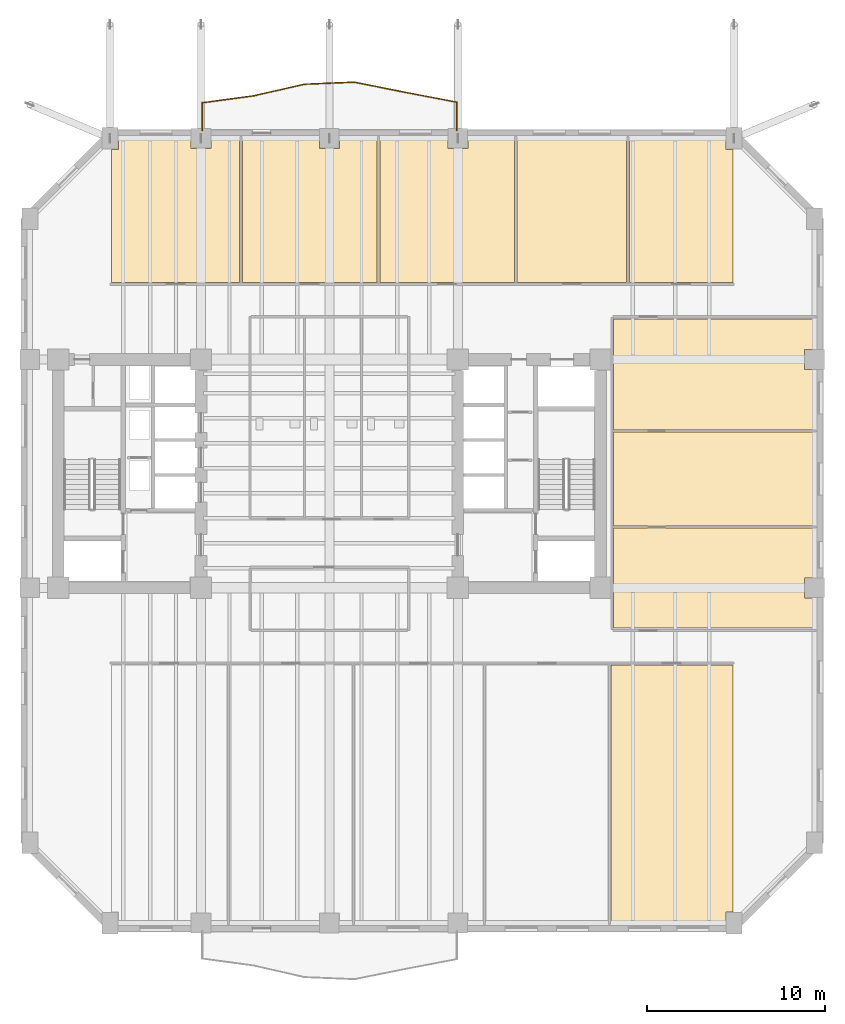
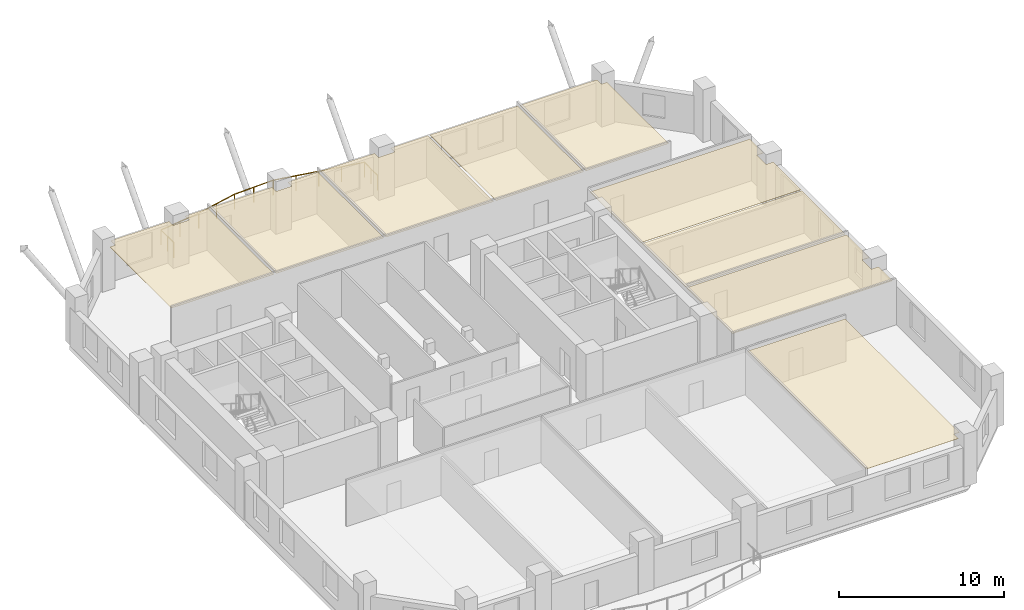
# One storey, part 11 of 12: 9 coverings, 1 railing.
"""IFC4 building model written with IfcOpenShell, lengths in metres."""

from ifc_helpers import new_model, si_unit, direction, frame, origin, origin_2d, place, context, subcontext, project, spatial, polyline, circle, outline, extrude, material, layer, layer_set, type_object, element, save


model = new_model("IFC4")

# Units and contexts
model_context = context("Model", 3, precision=1e-05, world=origin(), true_north=direction((0.0, 1.0)))
body_context = subcontext(model_context, "Body", "Model", "MODEL_VIEW")
ifc_project = project(units=[si_unit("LENGTHUNIT", "METRE"), si_unit("AREAUNIT", "SQUARE_METRE"), si_unit("VOLUMEUNIT", "CUBIC_METRE"), si_unit("PLANEANGLEUNIT", "RADIAN"), si_unit("MASSUNIT", "GRAM", prefix="KILO")], contexts=[model_context])

# Site, building, storey
site_placement = place(None, origin())
site = spatial("IfcSite", under=ifc_project, at=site_placement, CompositionType="ELEMENT")
building_placement = place(site_placement, origin())
building = spatial("IfcBuilding", under=site, at=building_placement, Name="Kranthara Brick Stack", CompositionType="ELEMENT")
storey_placement = place(building_placement, frame((0.0, 0.0, 67.199951171875)))
storey = spatial("IfcBuildingStorey", under=building, at=storey_placement, Name="L16", CompositionType="ELEMENT", Elevation=67.199951171875)

# Coverings
ifc_material_1 = material(Name="Perforated mineral-fibre acoustic ceiling tile", Category="other")
ifc_layer = layer(ifc_material_1, 0.02490234375)
ifc_layer_set = layer_set([ifc_layer], Name="Perforated mineral-fibre acoustic ceiling tile")
covering_type = type_object("IfcCoveringType", Name="COV-CEIL-ACOUSTIC", PredefinedType="CEILING", material=ifc_layer_set)
covering_1_placement = place(storey_placement, frame((0.0, 0.0, 3.179931640625)))
element("IfcCovering", 1, at=covering_1_placement, inside=storey, type_object=covering_type, Name="L16 L16 Focus Study Room 5 Acoustic Ceiling", PredefinedType="CEILING", context=body_context, shape_type="SweptSolid", body=[
    extrude(outline(polyline([(43.780029296875, 2.070068359375), (43.780029296875, 16.47998046875), (50.6201171875, 16.47998046875), (50.6201171875, 2.610107421875), (50.239990234375, 2.610107421875), (50.239990234375, 2.070068359375), (43.780029296875, 2.070068359375)])), origin(), (0.0, 0.0, 1.0), 0.025146484375),
])
covering_2_placement = place(storey_placement, frame((0.0, 0.0, 3.179931640625)))
element("IfcCovering", 2, at=covering_2_placement, inside=storey, type_object=covering_type, Name="L16 L16 Meeting Room 1 Acoustic Ceiling", PredefinedType="CEILING", context=body_context, shape_type="SweptSolid", body=[
    extrude(outline(polyline([(22.969970703125, 37.919921875), (15.780029296875, 37.919921875), (15.780029296875, 45.389892578125), (16.159912109375, 45.389892578125), (16.159912109375, 45.929931640625), (20.239990234375, 45.929931640625), (20.239990234375, 45.43994140625), (21.360107421875, 45.43994140625), (21.360107421875, 45.929931640625), (22.969970703125, 45.929931640625), (22.969970703125, 37.919921875)])), origin(), (0.0, 0.0, 1.0), 0.025146484375),
])
covering_3_placement = place(storey_placement, frame((0.0, 0.0, 3.179931640625)))
element("IfcCovering", 3, at=covering_3_placement, inside=storey, type_object=covering_type, Name="L16 L16 Meeting Room 2 Acoustic Ceiling", PredefinedType="CEILING", context=body_context, shape_type="SweptSolid", body=[
    extrude(outline(polyline([(30.669921875, 45.929931640625), (30.669921875, 37.919921875), (23.1298828125, 37.919921875), (23.1298828125, 45.929931640625), (27.43994140625, 45.929931640625), (27.43994140625, 45.43994140625), (28.56005859375, 45.43994140625), (28.56005859375, 45.929931640625), (30.669921875, 45.929931640625)])), origin(), (0.0, 0.0, 1.0), 0.025146484375),
])
covering_4_placement = place(storey_placement, frame((0.0, 0.0, 3.179931640625)))
element("IfcCovering", 4, at=covering_4_placement, inside=storey, type_object=covering_type, Name="L16 L16 Meeting Room 3 Acoustic Ceiling", PredefinedType="CEILING", context=body_context, shape_type="SweptSolid", body=[
    extrude(outline(polyline([(38.3701171875, 45.929931640625), (38.3701171875, 37.919921875), (30.830078125, 37.919921875), (30.830078125, 45.929931640625), (34.639892578125, 45.929931640625), (34.639892578125, 45.43994140625), (35.760009765625, 45.43994140625), (35.760009765625, 45.929931640625), (38.3701171875, 45.929931640625)])), origin(), (0.0, 0.0, 1.0), 0.025146484375),
])
covering_5_placement = place(storey_placement, frame((0.0, 0.0, 3.179931640625)))
element("IfcCovering", 5, at=covering_5_placement, inside=storey, type_object=covering_type, Name="L16 L16 Boardroom 4 Acoustic Ceiling", PredefinedType="CEILING", context=body_context, shape_type="SweptSolid", body=[
    extrude(outline(polyline([(44.669921875, 37.919921875), (44.669921875, 45.929931640625), (38.530029296875, 45.929931640625), (38.530029296875, 37.919921875), (44.669921875, 37.919921875)])), origin(), (0.0, 0.0, 1.0), 0.025146484375),
])
covering_6_placement = place(storey_placement, frame((0.0, 0.0, 3.179931640625)))
element("IfcCovering", 6, at=covering_6_placement, inside=storey, type_object=covering_type, Name="L16 L16 Staff Pantry 5 Acoustic Ceiling", PredefinedType="CEILING", context=body_context, shape_type="SweptSolid", body=[
    extrude(outline(polyline([(50.6201171875, 37.919921875), (44.830078125, 37.919921875), (44.830078125, 45.929931640625), (50.239990234375, 45.929931640625), (50.239990234375, 45.389892578125), (50.6201171875, 45.389892578125), (50.6201171875, 37.919921875)])), origin(), (0.0, 0.0, 1.0), 0.025146484375),
])
covering_7_placement = place(storey_placement, frame((0.0, 0.0, 3.179931640625)))
element("IfcCovering", 7, at=covering_7_placement, inside=storey, type_object=covering_type, Name="L16 L16 East Client Office 1 Acoustic Ceiling", PredefinedType="CEILING", context=body_context, shape_type="SweptSolid", body=[
    extrude(outline(polyline([(55.1298828125, 18.5400390625), (43.919921875, 18.5400390625), (43.919921875, 24.139892578125), (55.1298828125, 24.139892578125), (55.1298828125, 21.360107421875), (54.639892578125, 21.360107421875), (54.639892578125, 20.239990234375), (55.1298828125, 20.239990234375), (55.1298828125, 18.5400390625)])), origin(), (0.0, 0.0, 1.0), 0.025146484375),
])
covering_8_placement = place(storey_placement, frame((0.0, 0.0, 3.179931640625)))
element("IfcCovering", 8, at=covering_8_placement, inside=storey, type_object=covering_type, Name="L16 L16 East Client Office 2 Acoustic Ceiling", PredefinedType="CEILING", context=body_context, shape_type="SweptSolid", body=[
    extrude(outline(polyline([(55.1298828125, 24.260009765625), (55.1298828125, 29.5400390625), (43.919921875, 29.5400390625), (43.919921875, 24.260009765625), (55.1298828125, 24.260009765625)])), origin(), (0.0, 0.0, 1.0), 0.025146484375),
])
covering_9_placement = place(storey_placement, frame((0.0, 0.0, 3.179931640625)))
element("IfcCovering", 9, at=covering_9_placement, inside=storey, type_object=covering_type, Name="L16 L16 East Client Office 3 Acoustic Ceiling", PredefinedType="CEILING", context=body_context, shape_type="SweptSolid", body=[
    extrude(outline(polyline([(55.1298828125, 29.659912109375), (43.919921875, 29.659912109375), (43.919921875, 35.860107421875), (55.1298828125, 35.860107421875), (55.1298828125, 34.159912109375), (54.639892578125, 34.159912109375), (54.639892578125, 33.0400390625), (55.1298828125, 33.0400390625), (55.1298828125, 29.659912109375)])), origin(), (0.0, 0.0, 1.0), 0.025146484375),
])

# Railing
ifc_material_2 = material(Name="Bronze anodised aluminium and laminated glass balustrade", Category="aluminium")
railing_type = type_object("IfcRailingType", Name="RL-BALC-1120", PredefinedType="BALUSTRADE", material=ifc_material_2)
railing_placement = place(storey_placement, frame((20.860107421875, 46.43994140625, 0.0)))
element("IfcRailing", 10, at=railing_placement, inside=storey, type_object=railing_type, Name="L16 North Rippling Balcony Balustrade", PredefinedType="BALUSTRADE", context=body_context, shape_type="SweptSolid", body=[
    extrude(circle(Radius=0.02392578125, at=origin_2d()), frame((0.0, 0.0, 1.09619140625), z_axis=(0.0, 1.0, 0.0), x_axis=(-1.0, 0.0, 0.0)), (0.0, 0.0, 1.0), 1.560302734375),
    extrude(circle(Radius=0.02392578125, at=origin_2d()), frame((0.0, 1.560302734375, 1.09619140625), z_axis=(0.991047197084, 0.133511996284, 0.0), x_axis=(-0.133511996284, 0.991047197084, 0.0)), (0.0, 0.0, 1.0), 2.90576171875),
    extrude(circle(Radius=0.02392578125, at=origin_2d()), frame((2.879638671875, 1.9482421875, 1.09619140625), z_axis=(0.974965500205, 0.222356185903, 0.0), x_axis=(-0.222356185903, 0.974965500205, 0.0)), (0.0, 0.0, 1.0), 2.942626953125),
    extrude(circle(Radius=0.02392578125, at=origin_2d()), frame((5.74853515625, 2.6025390625, 1.09619140625), z_axis=(0.999177134327, 0.040559268209, 0.0), x_axis=(-0.040559268209, 0.999177134327, 0.0)), (0.0, 0.0, 1.0), 2.786865234375),
    extrude(circle(Radius=0.02392578125, at=origin_2d()), frame((8.533203125, 2.715576171875, 1.09619140625), z_axis=(0.980849578843, -0.194766793074, 0.0), x_axis=(0.194766793074, 0.980849578843, 0.0)), (0.0, 0.0, 1.0), 2.923095703125),
    extrude(circle(Radius=0.02392578125, at=origin_2d()), frame((11.400390625, 2.146240234375, 1.09619140625), z_axis=(0.982100169134, -0.188359384652, 0.0), x_axis=(0.188359384652, 0.982100169134, 0.0)), (0.0, 0.0, 1.0), 2.931884765625),
    extrude(circle(Radius=0.02392578125, at=origin_2d()), frame((14.27978515625, 1.593994140625, 1.09619140625), z_axis=(0.0, -1.0, 0.0), x_axis=(1.0, 0.0, 0.0)), (0.0, 0.0, 1.0), 1.593994140625),
    extrude(circle(Radius=0.02099609375, at=origin_2d()), origin(), (0.0, 0.0, 1.0), 1.072021484375),
    extrude(circle(Radius=0.02099609375, at=origin_2d()), frame((0.0, 0.7802734375, 0.0)), (0.0, 0.0, 1.0), 1.072021484375),
    extrude(circle(Radius=0.02099609375, at=origin_2d()), frame((0.0, 1.560302734375, 0.0)), (0.0, 0.0, 1.0), 1.072021484375),
    extrude(circle(Radius=0.02099609375, at=origin_2d()), frame((1.43994140625, 1.75439453125, 0.0)), (0.0, 0.0, 1.0), 1.072021484375),
    extrude(circle(Radius=0.02099609375, at=origin_2d()), frame((2.879638671875, 1.9482421875, 0.0)), (0.0, 0.0, 1.0), 1.072021484375),
    extrude(circle(Radius=0.02099609375, at=origin_2d()), frame((4.31396484375, 2.275390625, 0.0)), (0.0, 0.0, 1.0), 1.072021484375),
    extrude(circle(Radius=0.02099609375, at=origin_2d()), frame((5.74853515625, 2.6025390625, 0.0)), (0.0, 0.0, 1.0), 1.072021484375),
    extrude(circle(Radius=0.02099609375, at=origin_2d()), frame((7.140869140625, 2.6591796875, 0.0)), (0.0, 0.0, 1.0), 1.072021484375),
    extrude(circle(Radius=0.02099609375, at=origin_2d()), frame((8.533203125, 2.715576171875, 0.0)), (0.0, 0.0, 1.0), 1.072021484375),
    extrude(circle(Radius=0.02099609375, at=origin_2d()), frame((9.966796875, 2.430908203125, 0.0)), (0.0, 0.0, 1.0), 1.072021484375),
    extrude(circle(Radius=0.02099609375, at=origin_2d()), frame((11.400390625, 2.146240234375, 0.0)), (0.0, 0.0, 1.0), 1.072021484375),
    extrude(circle(Radius=0.02099609375, at=origin_2d()), frame((12.840087890625, 1.8701171875, 0.0)), (0.0, 0.0, 1.0), 1.072021484375),
    extrude(circle(Radius=0.02099609375, at=origin_2d()), frame((14.27978515625, 1.593994140625, 0.0)), (0.0, 0.0, 1.0), 1.072021484375),
    extrude(circle(Radius=0.02099609375, at=origin_2d()), frame((14.27978515625, 0.796875, 0.0)), (0.0, 0.0, 1.0), 1.072021484375),
    extrude(circle(Radius=0.02099609375, at=origin_2d()), frame((14.27978515625, 0.0, 0.0)), (0.0, 0.0, 1.0), 1.072021484375),
])

save(model, "model.ifc")
